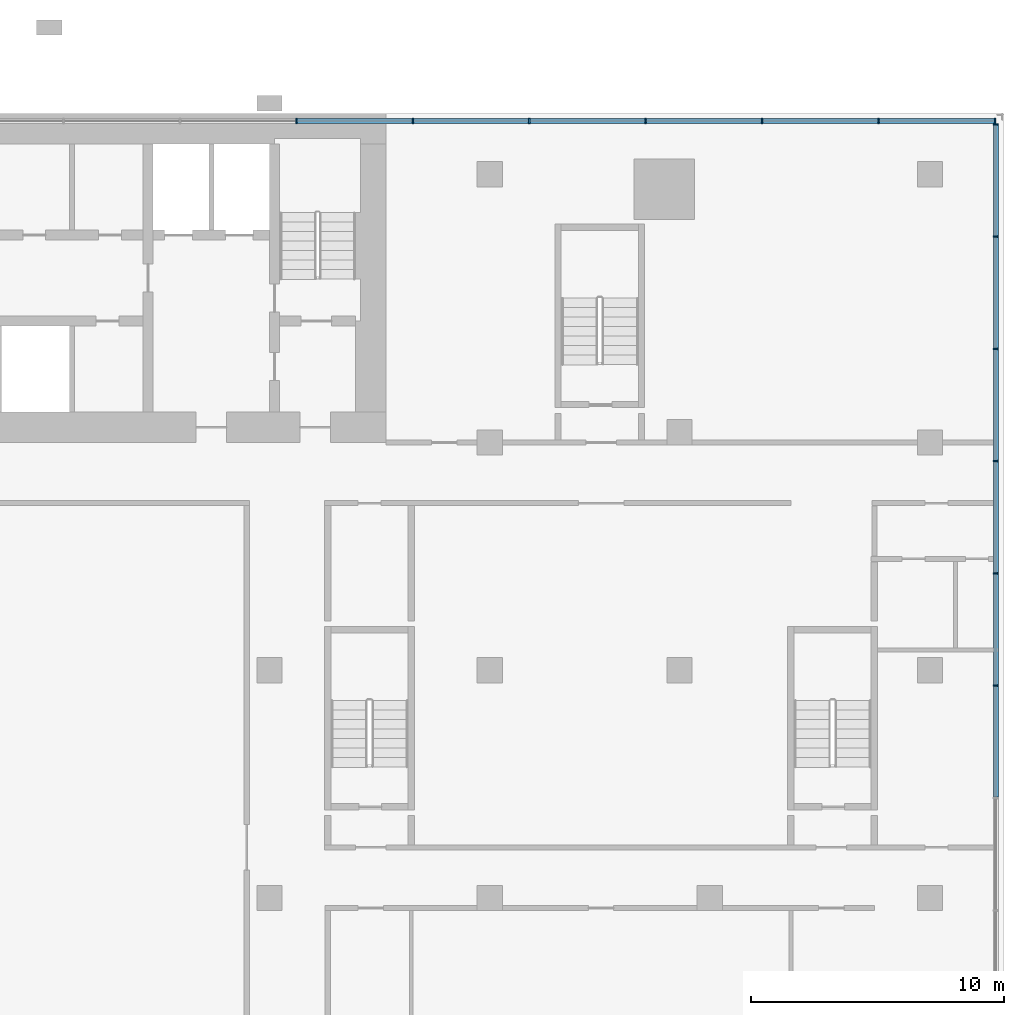
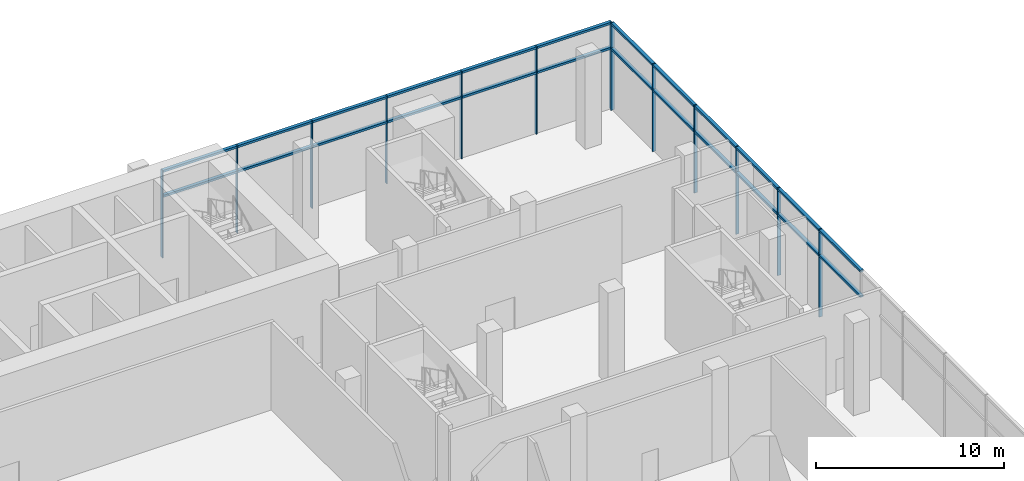
# One storey, part 8 of 21: 37 members, 2 elements without a shape of their own.
"""IFC4 building model written with IfcOpenShell, lengths in metres."""

from ifc_helpers import new_model, si_unit, direction, frame, origin, origin_2d, place, context, subcontext, project, spatial, rectangle, extrude, material, material_profile, profile_set, type_object, element, aggregate, save


model = new_model("IFC4")

# Units and contexts
model_context = context("Model", 3, precision=1e-05, world=origin(), true_north=direction((0.0, 1.0)))
body_context = subcontext(model_context, "Body", "Model", "MODEL_VIEW")
ifc_project = project(units=[si_unit("LENGTHUNIT", "METRE"), si_unit("AREAUNIT", "SQUARE_METRE"), si_unit("VOLUMEUNIT", "CUBIC_METRE"), si_unit("PLANEANGLEUNIT", "RADIAN"), si_unit("MASSUNIT", "GRAM", prefix="KILO")], contexts=[model_context])

# Site, building, storey
site_placement = place(None, origin())
site = spatial("IfcSite", under=ifc_project, at=site_placement, CompositionType="ELEMENT")
building_placement = place(site_placement, origin())
building = spatial("IfcBuilding", under=site, at=building_placement, Name="Bicima Exchange Tower", CompositionType="ELEMENT")
storey_placement = place(building_placement, frame((0.0, 0.0, 8.0)))
storey = spatial("IfcBuildingStorey", under=building, at=storey_placement, Name="L01", CompositionType="ELEMENT", Elevation=8.0)

# Curtain wall, members
ifc_material = material(Name="Anodised bronze aluminium", Category="aluminium")
curtain_wall_type = type_object("IfcCurtainWallType", Name="Lobby glazing", PredefinedType="NOTDEFINED", material=ifc_material)
curtain_wall_1_placement = place(storey_placement, origin())
curtain_wall_1 = element("IfcCurtainWall", 1, at=curtain_wall_1_placement, inside=storey, type_object=curtain_wall_type, Name="Podium glazing L01 east 1", PredefinedType="NOTDEFINED")
ifc_material_profile_1 = material_profile(ifc_material, rectangle(XDim=0.199951171875, YDim=0.06005859375, at=origin_2d()))
ifc_profile_set_1 = profile_set([ifc_material_profile_1], Name="Anodised bronze aluminium")
member_type_1 = type_object("IfcMemberType", Name="Lobby glazing mullion 60 x 200", PredefinedType="MULLION", material=ifc_profile_set_1)
member_1_placement = place(storey_placement, frame((46.10009765625, -22.61328125, 0.0), z_axis=(0.0, 0.0, 1.0), x_axis=(-1.0, 0.0, 0.0)))
member_1 = element("IfcMember", 2, at=member_1_placement, type_object=member_type_1, Name="Lobby glazing mullion 8", PredefinedType="MULLION", context=body_context, shape_type="SweptSolid", body=[
    extrude(rectangle(XDim=0.199951171875, YDim=0.06005859375, at=origin_2d()), origin(), (0.0, 0.0, 1.0), 5.699951171875),
])
member_2_placement = place(storey_placement, frame((46.10009765625, -18.1767578125, 0.0), z_axis=(0.0, 0.0, 1.0), x_axis=(-1.0, 0.0, 0.0)))
member_2 = element("IfcMember", 3, at=member_2_placement, type_object=member_type_1, Name="Lobby glazing mullion 9", PredefinedType="MULLION", context=body_context, shape_type="SweptSolid", body=[
    extrude(rectangle(XDim=0.199951171875, YDim=0.06005859375, at=origin_2d()), origin(), (0.0, 0.0, 1.0), 5.699951171875),
])
member_3_placement = place(storey_placement, frame((46.10009765625, -13.739990234375, 0.0), z_axis=(0.0, 0.0, 1.0), x_axis=(-1.0, 0.0, 0.0)))
member_3 = element("IfcMember", 4, at=member_3_placement, type_object=member_type_1, Name="Lobby glazing mullion 10", PredefinedType="MULLION", context=body_context, shape_type="SweptSolid", body=[
    extrude(rectangle(XDim=0.199951171875, YDim=0.06005859375, at=origin_2d()), origin(), (0.0, 0.0, 1.0), 5.699951171875),
])
member_4_placement = place(storey_placement, frame((46.10009765625, -9.30322265625, 0.0), z_axis=(0.0, 0.0, 1.0), x_axis=(-1.0, 0.0, 0.0)))
member_4 = element("IfcMember", 5, at=member_4_placement, type_object=member_type_1, Name="Lobby glazing mullion 11", PredefinedType="MULLION", context=body_context, shape_type="SweptSolid", body=[
    extrude(rectangle(XDim=0.199951171875, YDim=0.06005859375, at=origin_2d()), origin(), (0.0, 0.0, 1.0), 5.699951171875),
])
member_5_placement = place(storey_placement, frame((46.10009765625, -4.86669921875, 0.0), z_axis=(0.0, 0.0, 1.0), x_axis=(-1.0, 0.0, 0.0)))
member_5 = element("IfcMember", 6, at=member_5_placement, type_object=member_type_1, Name="Lobby glazing mullion 12", PredefinedType="MULLION", context=body_context, shape_type="SweptSolid", body=[
    extrude(rectangle(XDim=0.199951171875, YDim=0.06005859375, at=origin_2d()), origin(), (0.0, 0.0, 1.0), 5.699951171875),
])
member_6_placement = place(storey_placement, frame((46.10009765625, -0.429931640625, 0.0), z_axis=(0.0, 0.0, 1.0), x_axis=(-1.0, 0.0, 0.0)))
member_6 = element("IfcMember", 7, at=member_6_placement, type_object=member_type_1, Name="Lobby glazing mullion 13", PredefinedType="MULLION", context=body_context, shape_type="SweptSolid", body=[
    extrude(rectangle(XDim=0.199951171875, YDim=0.06005859375, at=origin_2d()), origin(), (0.0, 0.0, 1.0), 5.699951171875),
])

curtain_wall_2_placement = place(storey_placement, origin())
curtain_wall_2 = element("IfcCurtainWall", 8, at=curtain_wall_2_placement, inside=storey, type_object=curtain_wall_type, Name="Podium glazing L01 north 1", PredefinedType="NOTDEFINED")
member_7_placement = place(storey_placement, frame((46.070068359375, -0.300048828125, 0.0), z_axis=(0.0, 0.0, 1.0), x_axis=(0.0, -1.0, 0.0)))
member_7 = element("IfcMember", 9, at=member_7_placement, type_object=member_type_1, Name="Lobby glazing mullion 1", PredefinedType="MULLION", context=body_context, shape_type="SweptSolid", body=[
    extrude(rectangle(XDim=0.199951171875, YDim=0.06005859375, at=origin_2d()), origin(), (0.0, 0.0, 1.0), 5.699951171875),
])
member_8_placement = place(storey_placement, frame((41.468017578125, -0.300048828125, 0.0), z_axis=(0.0, 0.0, 1.0), x_axis=(0.0, -1.0, 0.0)))
member_8 = element("IfcMember", 10, at=member_8_placement, type_object=member_type_1, Name="Lobby glazing mullion 2", PredefinedType="MULLION", context=body_context, shape_type="SweptSolid", body=[
    extrude(rectangle(XDim=0.199951171875, YDim=0.06005859375, at=origin_2d()), origin(), (0.0, 0.0, 1.0), 5.699951171875),
])
member_9_placement = place(storey_placement, frame((36.865966796875, -0.300048828125, 0.0), z_axis=(0.0, 0.0, 1.0), x_axis=(0.0, -1.0, 0.0)))
member_9 = element("IfcMember", 11, at=member_9_placement, type_object=member_type_1, Name="Lobby glazing mullion 3", PredefinedType="MULLION", context=body_context, shape_type="SweptSolid", body=[
    extrude(rectangle(XDim=0.199951171875, YDim=0.06005859375, at=origin_2d()), origin(), (0.0, 0.0, 1.0), 5.699951171875),
])
member_10_placement = place(storey_placement, frame((32.263916015625, -0.300048828125, 0.0), z_axis=(0.0, 0.0, 1.0), x_axis=(0.0, -1.0, 0.0)))
member_10 = element("IfcMember", 12, at=member_10_placement, type_object=member_type_1, Name="Lobby glazing mullion 4", PredefinedType="MULLION", context=body_context, shape_type="SweptSolid", body=[
    extrude(rectangle(XDim=0.199951171875, YDim=0.06005859375, at=origin_2d()), origin(), (0.0, 0.0, 1.0), 5.699951171875),
])
member_11_placement = place(storey_placement, frame((27.662109375, -0.300048828125, 0.0), z_axis=(0.0, 0.0, 1.0), x_axis=(0.0, -1.0, 0.0)))
member_11 = element("IfcMember", 13, at=member_11_placement, type_object=member_type_1, Name="Lobby glazing mullion 5", PredefinedType="MULLION", context=body_context, shape_type="SweptSolid", body=[
    extrude(rectangle(XDim=0.199951171875, YDim=0.06005859375, at=origin_2d()), origin(), (0.0, 0.0, 1.0), 5.699951171875),
])
member_12_placement = place(storey_placement, frame((23.06005859375, -0.300048828125, 0.0), z_axis=(0.0, 0.0, 1.0), x_axis=(0.0, -1.0, 0.0)))
member_12 = element("IfcMember", 14, at=member_12_placement, type_object=member_type_1, Name="Lobby glazing mullion 6", PredefinedType="MULLION", context=body_context, shape_type="SweptSolid", body=[
    extrude(rectangle(XDim=0.199951171875, YDim=0.06005859375, at=origin_2d()), origin(), (0.0, 0.0, 1.0), 5.699951171875),
])
member_13_placement = place(storey_placement, frame((18.4580078125, -0.300048828125, 0.0), z_axis=(0.0, 0.0, 1.0), x_axis=(0.0, -1.0, 0.0)))
member_13 = element("IfcMember", 15, at=member_13_placement, type_object=member_type_1, Name="Lobby glazing mullion 7", PredefinedType="MULLION", context=body_context, shape_type="SweptSolid", body=[
    extrude(rectangle(XDim=0.199951171875, YDim=0.06005859375, at=origin_2d()), origin(), (0.0, 0.0, 1.0), 5.699951171875),
])

# Member
ifc_material_profile_2 = material_profile(ifc_material, rectangle(XDim=0.199951171875, YDim=0.139892578125, at=origin_2d()))
ifc_profile_set_2 = profile_set([ifc_material_profile_2], Name="Anodised bronze aluminium")
member_type_2 = type_object("IfcMemberType", Name="Lobby glazing transom 140 x 200", PredefinedType="USERDEFINED", material=ifc_profile_set_2)
member_14_placement = place(storey_placement, frame((46.10009765625, -27.02001953125, 4.0), z_axis=(0.0, 1.0, 0.0), x_axis=(-1.0, 0.0, 0.0)))
member_14 = element("IfcMember", 16, at=member_14_placement, type_object=member_type_2, Name="Lobby glazing transom 7.1", ObjectType="TRANSOM", PredefinedType="USERDEFINED", context=body_context, shape_type="SweptSolid", body=[
    extrude(rectangle(XDim=0.199951171875, YDim=0.139892578125, at=origin_2d()), origin(), (0.0, 0.0, 1.0), 4.376708984375),
])

member_15_placement = place(storey_placement, frame((46.10009765625, -27.02001953125, 5.6298828125), z_axis=(0.0, 1.0, 0.0), x_axis=(-1.0, 0.0, 0.0)))
member_15 = element("IfcMember", 17, at=member_15_placement, type_object=member_type_2, Name="Lobby glazing transom 7.2", ObjectType="TRANSOM", PredefinedType="USERDEFINED", context=body_context, shape_type="SweptSolid", body=[
    extrude(rectangle(XDim=0.199951171875, YDim=0.139892578125, at=origin_2d()), origin(), (0.0, 0.0, 1.0), 4.376708984375),
])

member_16_placement = place(storey_placement, frame((46.10009765625, -22.583251953125, 4.0), z_axis=(0.0, 1.0, 0.0), x_axis=(-1.0, 0.0, 0.0)))
member_16 = element("IfcMember", 18, at=member_16_placement, type_object=member_type_2, Name="Lobby glazing transom 8.1", ObjectType="TRANSOM", PredefinedType="USERDEFINED", context=body_context, shape_type="SweptSolid", body=[
    extrude(rectangle(XDim=0.199951171875, YDim=0.139892578125, at=origin_2d()), origin(), (0.0, 0.0, 1.0), 4.37646484375),
])

member_17_placement = place(storey_placement, frame((46.10009765625, -22.583251953125, 5.6298828125), z_axis=(0.0, 1.0, 0.0), x_axis=(-1.0, 0.0, 0.0)))
member_17 = element("IfcMember", 19, at=member_17_placement, type_object=member_type_2, Name="Lobby glazing transom 8.2", ObjectType="TRANSOM", PredefinedType="USERDEFINED", context=body_context, shape_type="SweptSolid", body=[
    extrude(rectangle(XDim=0.199951171875, YDim=0.139892578125, at=origin_2d()), origin(), (0.0, 0.0, 1.0), 4.37646484375),
])

member_18_placement = place(storey_placement, frame((46.10009765625, -18.146728515625, 4.0), z_axis=(0.0, 1.0, 0.0), x_axis=(-1.0, 0.0, 0.0)))
member_18 = element("IfcMember", 20, at=member_18_placement, type_object=member_type_2, Name="Lobby glazing transom 9.1", ObjectType="TRANSOM", PredefinedType="USERDEFINED", context=body_context, shape_type="SweptSolid", body=[
    extrude(rectangle(XDim=0.199951171875, YDim=0.139892578125, at=origin_2d()), origin(), (0.0, 0.0, 1.0), 4.376708984375),
])

member_19_placement = place(storey_placement, frame((46.10009765625, -18.146728515625, 5.6298828125), z_axis=(0.0, 1.0, 0.0), x_axis=(-1.0, 0.0, 0.0)))
member_19 = element("IfcMember", 21, at=member_19_placement, type_object=member_type_2, Name="Lobby glazing transom 9.2", ObjectType="TRANSOM", PredefinedType="USERDEFINED", context=body_context, shape_type="SweptSolid", body=[
    extrude(rectangle(XDim=0.199951171875, YDim=0.139892578125, at=origin_2d()), origin(), (0.0, 0.0, 1.0), 4.376708984375),
])

member_20_placement = place(storey_placement, frame((46.10009765625, -13.7099609375, 4.0), z_axis=(0.0, 1.0, 0.0), x_axis=(-1.0, 0.0, 0.0)))
member_20 = element("IfcMember", 22, at=member_20_placement, type_object=member_type_2, Name="Lobby glazing transom 10.1", ObjectType="TRANSOM", PredefinedType="USERDEFINED", context=body_context, shape_type="SweptSolid", body=[
    extrude(rectangle(XDim=0.199951171875, YDim=0.139892578125, at=origin_2d()), origin(), (0.0, 0.0, 1.0), 4.376708984375),
])

member_21_placement = place(storey_placement, frame((46.10009765625, -13.7099609375, 5.6298828125), z_axis=(0.0, 1.0, 0.0), x_axis=(-1.0, 0.0, 0.0)))
member_21 = element("IfcMember", 23, at=member_21_placement, type_object=member_type_2, Name="Lobby glazing transom 10.2", ObjectType="TRANSOM", PredefinedType="USERDEFINED", context=body_context, shape_type="SweptSolid", body=[
    extrude(rectangle(XDim=0.199951171875, YDim=0.139892578125, at=origin_2d()), origin(), (0.0, 0.0, 1.0), 4.376708984375),
])

member_22_placement = place(storey_placement, frame((46.10009765625, -9.273193359375, 4.0), z_axis=(0.0, 1.0, 0.0), x_axis=(-1.0, 0.0, 0.0)))
member_22 = element("IfcMember", 24, at=member_22_placement, type_object=member_type_2, Name="Lobby glazing transom 11.1", ObjectType="TRANSOM", PredefinedType="USERDEFINED", context=body_context, shape_type="SweptSolid", body=[
    extrude(rectangle(XDim=0.199951171875, YDim=0.139892578125, at=origin_2d()), origin(), (0.0, 0.0, 1.0), 4.37646484375),
])

member_23_placement = place(storey_placement, frame((46.10009765625, -9.273193359375, 5.6298828125), z_axis=(0.0, 1.0, 0.0), x_axis=(-1.0, 0.0, 0.0)))
member_23 = element("IfcMember", 25, at=member_23_placement, type_object=member_type_2, Name="Lobby glazing transom 11.2", ObjectType="TRANSOM", PredefinedType="USERDEFINED", context=body_context, shape_type="SweptSolid", body=[
    extrude(rectangle(XDim=0.199951171875, YDim=0.139892578125, at=origin_2d()), origin(), (0.0, 0.0, 1.0), 4.37646484375),
])

member_24_placement = place(storey_placement, frame((46.10009765625, -4.836669921875, 4.0), z_axis=(0.0, 1.0, 0.0), x_axis=(-1.0, 0.0, 0.0)))
member_24 = element("IfcMember", 26, at=member_24_placement, type_object=member_type_2, Name="Lobby glazing transom 12.1", ObjectType="TRANSOM", PredefinedType="USERDEFINED", context=body_context, shape_type="SweptSolid", body=[
    extrude(rectangle(XDim=0.199951171875, YDim=0.139892578125, at=origin_2d()), origin(), (0.0, 0.0, 1.0), 4.376708984375),
])

member_25_placement = place(storey_placement, frame((46.10009765625, -4.836669921875, 5.6298828125), z_axis=(0.0, 1.0, 0.0), x_axis=(-1.0, 0.0, 0.0)))
member_25 = element("IfcMember", 27, at=member_25_placement, type_object=member_type_2, Name="Lobby glazing transom 12.2", ObjectType="TRANSOM", PredefinedType="USERDEFINED", context=body_context, shape_type="SweptSolid", body=[
    extrude(rectangle(XDim=0.199951171875, YDim=0.139892578125, at=origin_2d()), origin(), (0.0, 0.0, 1.0), 4.376708984375),
])

aggregate(curtain_wall_1, [member_1, member_2, member_3, member_4, member_5, member_6, member_14, member_15, member_16, member_17, member_18, member_19, member_20, member_21, member_22, member_23, member_24, member_25])

member_26_placement = place(storey_placement, frame((46.0400390625, -0.300048828125, 4.0), z_axis=(-1.0, 0.0, 0.0), x_axis=(0.0, -1.0, 0.0)))
member_26 = element("IfcMember", 28, at=member_26_placement, type_object=member_type_2, Name="Lobby glazing transom 1.1", ObjectType="TRANSOM", PredefinedType="USERDEFINED", context=body_context, shape_type="SweptSolid", body=[
    extrude(rectangle(XDim=0.199951171875, YDim=0.139892578125, at=origin_2d()), origin(), (0.0, 0.0, 1.0), 4.5419921875),
])

member_27_placement = place(storey_placement, frame((46.0400390625, -0.300048828125, 5.6298828125), z_axis=(-1.0, 0.0, 0.0), x_axis=(0.0, -1.0, 0.0)))
member_27 = element("IfcMember", 29, at=member_27_placement, type_object=member_type_2, Name="Lobby glazing transom 1.2", ObjectType="TRANSOM", PredefinedType="USERDEFINED", context=body_context, shape_type="SweptSolid", body=[
    extrude(rectangle(XDim=0.199951171875, YDim=0.139892578125, at=origin_2d()), origin(), (0.0, 0.0, 1.0), 4.5419921875),
])

member_28_placement = place(storey_placement, frame((41.43798828125, -0.300048828125, 4.0), z_axis=(-1.0, 0.0, 0.0), x_axis=(0.0, -1.0, 0.0)))
member_28 = element("IfcMember", 30, at=member_28_placement, type_object=member_type_2, Name="Lobby glazing transom 2.1", ObjectType="TRANSOM", PredefinedType="USERDEFINED", context=body_context, shape_type="SweptSolid", body=[
    extrude(rectangle(XDim=0.199951171875, YDim=0.139892578125, at=origin_2d()), origin(), (0.0, 0.0, 1.0), 4.5419921875),
])

member_29_placement = place(storey_placement, frame((41.43798828125, -0.300048828125, 5.6298828125), z_axis=(-1.0, 0.0, 0.0), x_axis=(0.0, -1.0, 0.0)))
member_29 = element("IfcMember", 31, at=member_29_placement, type_object=member_type_2, Name="Lobby glazing transom 2.2", ObjectType="TRANSOM", PredefinedType="USERDEFINED", context=body_context, shape_type="SweptSolid", body=[
    extrude(rectangle(XDim=0.199951171875, YDim=0.139892578125, at=origin_2d()), origin(), (0.0, 0.0, 1.0), 4.5419921875),
])

member_30_placement = place(storey_placement, frame((36.8359375, -0.300048828125, 4.0), z_axis=(-1.0, 0.0, 0.0), x_axis=(0.0, -1.0, 0.0)))
member_30 = element("IfcMember", 32, at=member_30_placement, type_object=member_type_2, Name="Lobby glazing transom 3.1", ObjectType="TRANSOM", PredefinedType="USERDEFINED", context=body_context, shape_type="SweptSolid", body=[
    extrude(rectangle(XDim=0.199951171875, YDim=0.139892578125, at=origin_2d()), origin(), (0.0, 0.0, 1.0), 4.5419921875),
])

member_31_placement = place(storey_placement, frame((36.8359375, -0.300048828125, 5.6298828125), z_axis=(-1.0, 0.0, 0.0), x_axis=(0.0, -1.0, 0.0)))
member_31 = element("IfcMember", 33, at=member_31_placement, type_object=member_type_2, Name="Lobby glazing transom 3.2", ObjectType="TRANSOM", PredefinedType="USERDEFINED", context=body_context, shape_type="SweptSolid", body=[
    extrude(rectangle(XDim=0.199951171875, YDim=0.139892578125, at=origin_2d()), origin(), (0.0, 0.0, 1.0), 4.5419921875),
])

member_32_placement = place(storey_placement, frame((32.23388671875, -0.300048828125, 4.0), z_axis=(-1.0, 0.0, 0.0), x_axis=(0.0, -1.0, 0.0)))
member_32 = element("IfcMember", 34, at=member_32_placement, type_object=member_type_2, Name="Lobby glazing transom 4.1", ObjectType="TRANSOM", PredefinedType="USERDEFINED", context=body_context, shape_type="SweptSolid", body=[
    extrude(rectangle(XDim=0.199951171875, YDim=0.139892578125, at=origin_2d()), origin(), (0.0, 0.0, 1.0), 4.5419921875),
])

member_33_placement = place(storey_placement, frame((32.23388671875, -0.300048828125, 5.6298828125), z_axis=(-1.0, 0.0, 0.0), x_axis=(0.0, -1.0, 0.0)))
member_33 = element("IfcMember", 35, at=member_33_placement, type_object=member_type_2, Name="Lobby glazing transom 4.2", ObjectType="TRANSOM", PredefinedType="USERDEFINED", context=body_context, shape_type="SweptSolid", body=[
    extrude(rectangle(XDim=0.199951171875, YDim=0.139892578125, at=origin_2d()), origin(), (0.0, 0.0, 1.0), 4.5419921875),
])

member_34_placement = place(storey_placement, frame((27.632080078125, -0.300048828125, 4.0), z_axis=(-1.0, 0.0, 0.0), x_axis=(0.0, -1.0, 0.0)))
member_34 = element("IfcMember", 36, at=member_34_placement, type_object=member_type_2, Name="Lobby glazing transom 5.1", ObjectType="TRANSOM", PredefinedType="USERDEFINED", context=body_context, shape_type="SweptSolid", body=[
    extrude(rectangle(XDim=0.199951171875, YDim=0.139892578125, at=origin_2d()), origin(), (0.0, 0.0, 1.0), 4.5419921875),
])

member_35_placement = place(storey_placement, frame((27.632080078125, -0.300048828125, 5.6298828125), z_axis=(-1.0, 0.0, 0.0), x_axis=(0.0, -1.0, 0.0)))
member_35 = element("IfcMember", 37, at=member_35_placement, type_object=member_type_2, Name="Lobby glazing transom 5.2", ObjectType="TRANSOM", PredefinedType="USERDEFINED", context=body_context, shape_type="SweptSolid", body=[
    extrude(rectangle(XDim=0.199951171875, YDim=0.139892578125, at=origin_2d()), origin(), (0.0, 0.0, 1.0), 4.5419921875),
])

member_36_placement = place(storey_placement, frame((23.030029296875, -0.300048828125, 4.0), z_axis=(-1.0, 0.0, 0.0), x_axis=(0.0, -1.0, 0.0)))
member_36 = element("IfcMember", 38, at=member_36_placement, type_object=member_type_2, Name="Lobby glazing transom 6.1", ObjectType="TRANSOM", PredefinedType="USERDEFINED", context=body_context, shape_type="SweptSolid", body=[
    extrude(rectangle(XDim=0.199951171875, YDim=0.139892578125, at=origin_2d()), origin(), (0.0, 0.0, 1.0), 4.5419921875),
])

member_37_placement = place(storey_placement, frame((23.030029296875, -0.300048828125, 5.6298828125), z_axis=(-1.0, 0.0, 0.0), x_axis=(0.0, -1.0, 0.0)))
member_37 = element("IfcMember", 39, at=member_37_placement, type_object=member_type_2, Name="Lobby glazing transom 6.2", ObjectType="TRANSOM", PredefinedType="USERDEFINED", context=body_context, shape_type="SweptSolid", body=[
    extrude(rectangle(XDim=0.199951171875, YDim=0.139892578125, at=origin_2d()), origin(), (0.0, 0.0, 1.0), 4.5419921875),
])

aggregate(curtain_wall_2, [member_7, member_8, member_9, member_10, member_11, member_12, member_13, member_26, member_27, member_28, member_29, member_30, member_31, member_32, member_33, member_34, member_35, member_36, member_37])

save(model, "model.ifc")
